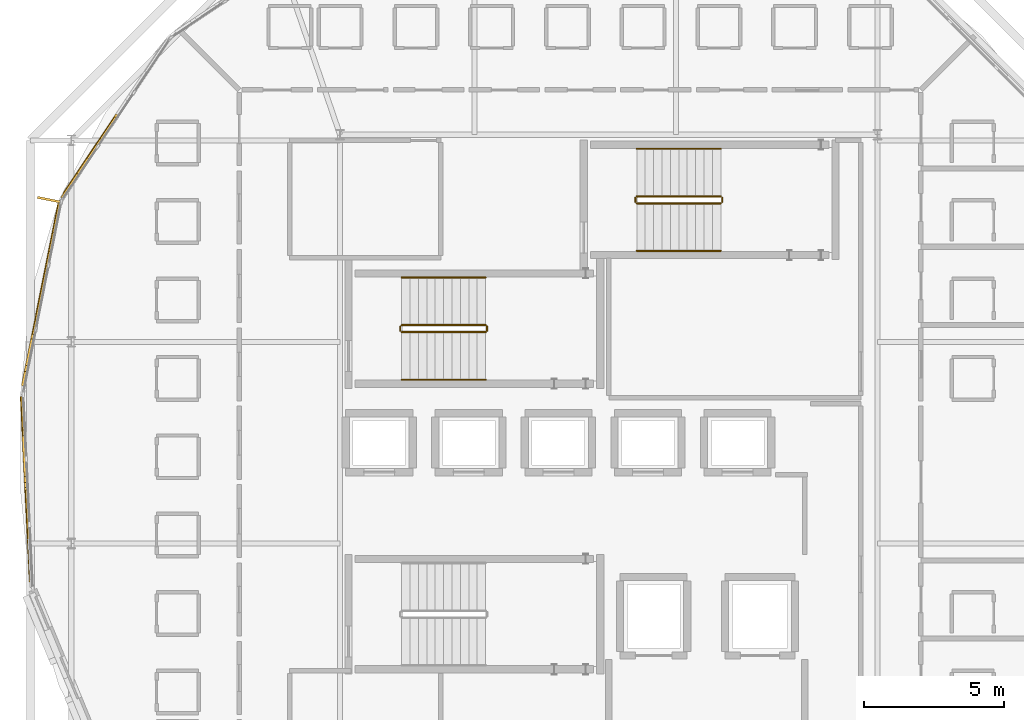
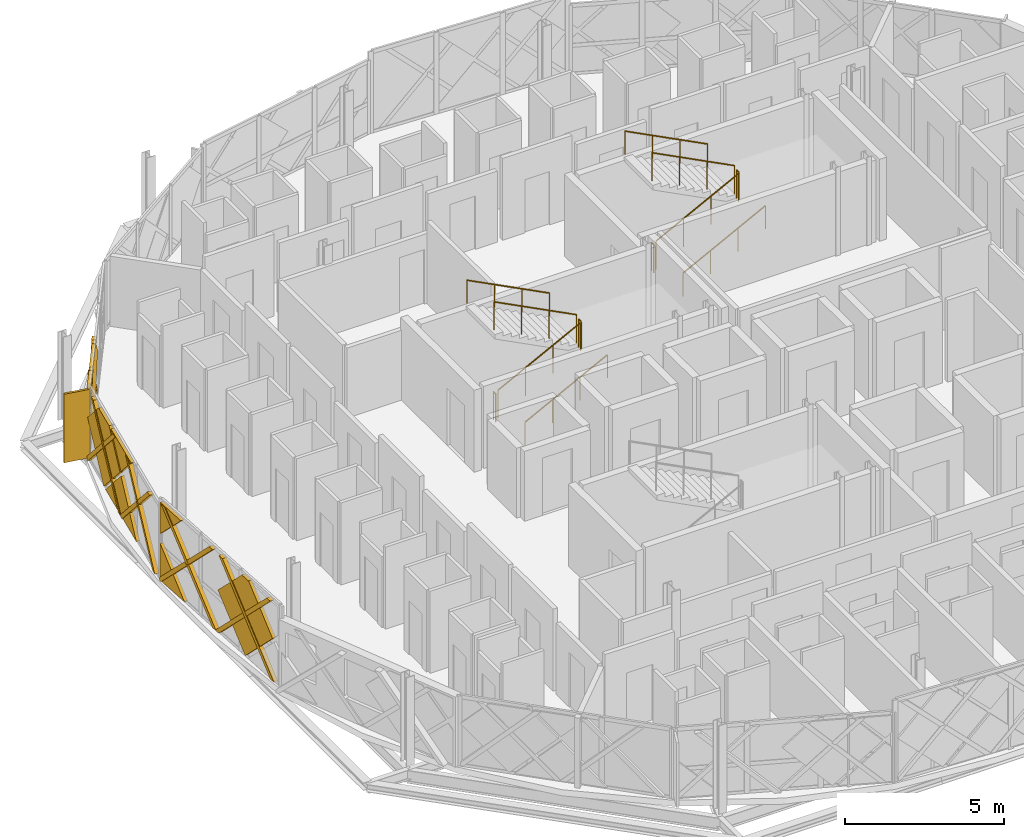
# One storey, part 22 of 24: 19 coverings, 12 railings, 1 shading device.
"""IFC4 building model written with IfcOpenShell, lengths in metres."""

import ifcopenshell
import ifcopenshell.guid

model = None  # the IFC model being written
_history = None  # IfcOwnerHistory: only IFC2X3 demands one
_inside = {}  # id of a spatial element -> (the spatial element, [elements in it])
_under = {}  # id of a project, library or spatial element -> (it, [spatial elements below it])
_declared = {}  # id of a project -> (the project, [libraries it declares])
_typed = {}  # id of a type object -> (the type object, [elements of that type])
_made_of = {}  # id of a material, layer set ... -> (it, [elements and type objects made of it])


def new_model(schema):
    """Start an empty IFC model of exactly this schema.

    Asked for "IFC4X3", IfcOpenShell would pick the latest addendum, in which some entities
    have other attributes; the version numbers below select the first issue.
    IFC2X3 requires an IfcOwnerHistory on every rooted entity: one is made here for all.
    """
    global model, _history
    if schema == "IFC4X3":
        model = ifcopenshell.file(schema_version=(4, 3, 0, 0))
    else:
        model = ifcopenshell.file(schema=schema)
    _inside.clear()
    _under.clear()
    _declared.clear()
    _typed.clear()
    _made_of.clear()
    _history = None
    if model.schema == "IFC2X3":
        org = make("IfcOrganization", Name="unknown")
        user = make(
            "IfcPersonAndOrganization",
            ThePerson=make("IfcPerson", FamilyName="unknown"),
            TheOrganization=org,
        )
        app = make(
            "IfcApplication",
            ApplicationDeveloper=org,
            Version="unknown",
            ApplicationFullName="unknown",
            ApplicationIdentifier="unknown",
        )
        _history = make(
            "IfcOwnerHistory",
            OwningUser=user,
            OwningApplication=app,
            ChangeAction="ADDED",
            CreationDate=0,
        )
    return model


def make(cls, **values):
    """One entity of the class cls with the attributes given. An attribute that is None is left unset."""
    return model.create_entity(
        cls, **{name: value for name, value in values.items() if value is not None}
    )


def rooted(cls, **values):
    """An entity with a GlobalId (a new one), such as an element, a storey or a relation."""
    return make(cls, GlobalId=ifcopenshell.guid.new(), OwnerHistory=_history, **values)


def si_unit(unit_type, name, prefix=None):
    """IfcSIUnit, for example si_unit("LENGTHUNIT", "METRE", prefix="MILLI")."""
    return make("IfcSIUnit", UnitType=unit_type, Prefix=prefix, Name=name)


def assignment(units):
    """IfcUnitAssignment: the units of a project."""
    return None if units is None else make("IfcUnitAssignment", Units=units)


def point(xyz):
    """IfcCartesianPoint."""
    return None if xyz is None else make("IfcCartesianPoint", Coordinates=xyz)


def direction(xyz):
    """IfcDirection."""
    return None if xyz is None else make("IfcDirection", DirectionRatios=xyz)


def frame(location, z_axis=None, x_axis=None):
    """IfcAxis2Placement3D, a coordinate frame: its origin and axes. An axis left out is left unset."""
    return make(
        "IfcAxis2Placement3D",
        Location=point(location),
        Axis=direction(z_axis),
        RefDirection=direction(x_axis),
    )


def frame_2d(location, x_axis=None):
    """IfcAxis2Placement2D, a coordinate frame in the plane: its origin and x axis."""
    return make(
        "IfcAxis2Placement2D", Location=point(location), RefDirection=direction(x_axis)
    )


def origin():
    """The frame at (0, 0, 0) with its axes left unset."""
    return frame((0.0, 0.0, 0.0))


def origin_2d():
    """The frame at (0, 0) in the plane with its x axis left unset."""
    return frame_2d((0.0, 0.0))


def place(relative_to, where):
    """IfcLocalPlacement: puts the frame where relative to a parent placement (None: the world)."""
    return make(
        "IfcLocalPlacement", PlacementRelTo=relative_to, RelativePlacement=where
    )


def context(
    kind, dimensions, precision=None, world=None, true_north=None, identifier=None
):
    """IfcGeometricRepresentationContext, for example the 3D "Model" context."""
    return make(
        "IfcGeometricRepresentationContext",
        ContextIdentifier=identifier,
        ContextType=kind,
        CoordinateSpaceDimension=dimensions,
        Precision=precision,
        WorldCoordinateSystem=world,
        TrueNorth=true_north,
    )


def subcontext(parent, identifier, kind, view, scale=None):
    """IfcGeometricRepresentationSubContext, for example "Body" below "Model"."""
    return make(
        "IfcGeometricRepresentationSubContext",
        ContextIdentifier=identifier,
        ContextType=kind,
        ParentContext=parent,
        TargetScale=scale,
        TargetView=view,
    )


def project(units=None, contexts=None):
    """IfcProject with its units and contexts."""
    return rooted(
        "IfcProject",
        Name="project",
        RepresentationContexts=contexts,
        UnitsInContext=assignment(units),
    )


def spatial(cls, under=None, at=None, **own):
    """A site, building, storey or space (cls), placed at a placement, below another one or the project."""
    s = rooted(cls, ObjectPlacement=at, **own)
    if under is not None:
        _under.setdefault(under.id(), (under, []))[1].append(s)
    return s


def polyline(points):
    """IfcPolyline through the points."""
    return make("IfcPolyline", Points=[point(p) for p in points])


def profile(cls, at=None, kind="AREA", **sizes):
    """A parametric profile (cls). Its sizes go by their IFC names, for example OverallWidth=200.0."""
    return make(cls, ProfileType=kind, Position=at, **sizes)


def rectangle(**sizes):
    """IfcRectangleProfileDef."""
    return profile("IfcRectangleProfileDef", **sizes)


def circle(**sizes):
    """IfcCircleProfileDef."""
    return profile("IfcCircleProfileDef", **sizes)


def outline(outer, holes=None, kind="AREA"):
    """IfcArbitraryClosedProfileDef: a profile drawn as a closed curve; with holes, ...WithVoids."""
    if holes is None:
        return make("IfcArbitraryClosedProfileDef", ProfileType=kind, OuterCurve=outer)
    return make(
        "IfcArbitraryProfileDefWithVoids",
        ProfileType=kind,
        OuterCurve=outer,
        InnerCurves=holes,
    )


def extrude(swept, where, along, depth):
    """IfcExtrudedAreaSolid: the profile swept, set in the frame where, extruded along a direction by depth."""
    return make(
        "IfcExtrudedAreaSolid",
        SweptArea=swept,
        Position=where,
        ExtrudedDirection=direction(along),
        Depth=depth,
    )


def shape(context_of_items, identifier, shape_type, items):
    """IfcShapeRepresentation: the items that make up one representation, for example the "Body"."""
    return make(
        "IfcShapeRepresentation",
        ContextOfItems=context_of_items,
        RepresentationIdentifier=identifier,
        RepresentationType=shape_type,
        Items=items,
    )


def material(Name=None, Category=None):
    """IfcMaterial."""
    return make("IfcMaterial", Name=Name, Category=Category)


def layer(
    of_material, thickness, ventilated=None, Name=None, Category=None, Priority=None
):
    """IfcMaterialLayer: one layer of a wall or slab, of a material (None: an air gap)."""
    return make(
        "IfcMaterialLayer",
        Material=of_material,
        LayerThickness=thickness,
        IsVentilated=ventilated,
        Name=Name,
        Category=Category,
        Priority=Priority,
    )


def layer_set(layers, Name=None):
    """IfcMaterialLayerSet."""
    return make("IfcMaterialLayerSet", MaterialLayers=layers, LayerSetName=Name)


def made_of(thing, what):
    """Note that an element or type object is made of a material, layer set ...; save() writes the relation."""
    if what is not None:
        _made_of.setdefault(what.id(), (what, []))[1].append(thing)
    return thing


def type_object(cls, material=None, **own):
    """A type object (cls), such as IfcWallType, which elements share."""
    return made_of(rooted(cls, **own), material)


def element(
    cls,
    number,
    at=None,
    inside=None,
    cuts=None,
    type_object=None,
    material=None,
    context=None,
    identifier="Body",
    shape_type=None,
    held_by="IfcProductDefinitionShape",
    body=None,
    shapes=None,
    **own,
):
    """One element of the class cls, such as IfcWall. Its Tag is "e" and its number.

    at: its placement. inside: the storey or other place that contains it. cuts: it is an
    opening in that element (IfcRelVoidsElement). A single representation is given by context,
    identifier, shape_type and body (its items); several are given by shapes. held_by: the class
    of the entity that holds the representations. save() writes the other relations.
    """
    e = rooted(cls, Tag="e%d" % number, ObjectPlacement=at, **own)
    if body is not None:
        shapes = [shape(context, identifier, shape_type, body)]
    if shapes is not None:
        e.Representation = make(held_by, Representations=shapes)
    if inside is not None:
        _inside.setdefault(inside.id(), (inside, []))[1].append(e)
    if cuts is not None:
        rooted(
            "IfcRelVoidsElement", RelatingBuildingElement=cuts, RelatedOpeningElement=e
        )
    if type_object is not None:
        _typed.setdefault(type_object.id(), (type_object, []))[1].append(e)
    return made_of(e, material)


def aggregate(whole, parts):
    """IfcRelAggregates: a whole, such as a stair, and the parts it consists of."""
    return rooted("IfcRelAggregates", RelatingObject=whole, RelatedObjects=parts)


def save(model, path):
    """Write the relations noted so far, then the file.

    IfcRelAggregates (storeys below a building ...), IfcRelContainedInSpatialStructure (elements
    in a storey), IfcRelDefinesByType, IfcRelAssociatesMaterial and IfcRelDeclares: one each for
    every whole, place, type object, material and project.
    """
    for whole, parts in _under.values():
        aggregate(whole, parts)
    for where, things in _inside.values():
        rooted(
            "IfcRelContainedInSpatialStructure",
            RelatedElements=things,
            RelatingStructure=where,
        )
    for kind, things in _typed.values():
        rooted("IfcRelDefinesByType", RelatedObjects=things, RelatingType=kind)
    for what, things in _made_of.values():
        rooted("IfcRelAssociatesMaterial", RelatedObjects=things, RelatingMaterial=what)
    for by, libraries in _declared.values():
        rooted("IfcRelDeclares", RelatingContext=by, RelatedDefinitions=libraries)
    model.write(path)


model = new_model("IFC4")

# Units and contexts
model_context = context("Model", 3, precision=1e-05, world=origin(), true_north=direction((0.0, 1.0)))
body_context = subcontext(model_context, "Body", "Model", "MODEL_VIEW")
ifc_project = project(units=[si_unit("LENGTHUNIT", "METRE"), si_unit("AREAUNIT", "SQUARE_METRE"), si_unit("VOLUMEUNIT", "CUBIC_METRE"), si_unit("PLANEANGLEUNIT", "RADIAN"), si_unit("MASSUNIT", "GRAM", prefix="KILO")], contexts=[model_context])

# Site, building, storey
site_placement = place(None, origin())
site = spatial("IfcSite", under=ifc_project, at=site_placement, CompositionType="ELEMENT")
building_placement = place(site_placement, origin())
building = spatial("IfcBuilding", under=site, at=building_placement, Name="Zevrakil Square Congress Hotel", CompositionType="ELEMENT")
storey_placement = place(building_placement, frame((0.0, 0.0, 38.5)))
storey = spatial("IfcBuildingStorey", under=building, at=storey_placement, Name="L11", CompositionType="ELEMENT", Elevation=38.5)

# Coverings
ifc_material_1 = material(Name="Architectural White Fibre-C GRC", Category="concrete")
ifc_layer_1 = layer(ifc_material_1, 0.06494140625)
ifc_layer_set_1 = layer_set([ifc_layer_1], Name="Architectural White Fibre-C GRC")
covering_type_1 = type_object("IfcCoveringType", Name="COV-DIA-WHITE", PredefinedType="CLADDING", material=ifc_layer_set_1)
covering_1_placement = place(storey_placement, frame((126.93115234375, 36.52197265625, 1.590087890625), z_axis=(-0.83149600157, 0.555530546087, 0.000460149731), x_axis=(-0.392959632916, -0.587580436143, -0.707341471964)))
element("IfcCovering", 1, at=covering_1_placement, inside=storey, type_object=covering_type_1, Name="L11 45-degree white GRC diamond facade cassette 3310", PredefinedType="CLADDING", context=body_context, shape_type="SweptSolid", body=[
    extrude(outline(polyline([(0.0, 0.0), (0.26266104016860925, 2.7755575615628914e-17), (1.1993843025622417, -0.9360048723062939), (0.0008210011669953499, -2.1353644814832715), (0.0, 0.0)])), origin(), (0.0, 0.0, -1.0), 0.1201171875),
])
covering_2_placement = place(storey_placement, frame((126.981201171875, 36.5966796875, 1.679931640625), z_axis=(-0.831447330474, 0.555603293129, 0.000563304732), x_axis=(0.392570287536, 0.588189104027, -0.707051728835)))
element("IfcCovering", 2, at=covering_2_placement, inside=storey, type_object=covering_type_1, Name="L11 45-degree white GRC diamond facade cassette 3311", PredefinedType="CLADDING", context=body_context, shape_type="SweptSolid", body=[
    extrude(outline(polyline([(0.0, 0.0), (2.2485535630894837, 0.0), (2.2488083905047693, -2.2484589793996497), (0.9264004222021347, -2.2485265735203535), (9.09446122751012e-05, -1.3223610226990683), (0.0, 0.0)])), origin(), (0.0, 0.0, -1.0), 0.1201171875),
])
covering_3_placement = place(storey_placement, frame((126.931396484375, 36.521728515625, 1.77001953125), z_axis=(-0.83138944201, 0.55568997102, 0.000501819292), x_axis=(0.393230346621, 0.58768870872, 0.707101036726)))
element("IfcCovering", 3, at=covering_3_placement, inside=storey, type_object=covering_type_1, Name="L11 45-degree white GRC diamond facade cassette 3312", PredefinedType="CLADDING", context=body_context, shape_type="SweptSolid", body=[
    extrude(outline(polyline([(0.0, 0.0), (1.1949785864247604, -1.1102230246251565e-16), (0.46624017567455495, -0.7287269036350713), (8.500693778701329e-05, -0.2626609505266857), (0.0, 0.0)])), origin(), (0.0, 0.0, -1.0), 0.1201171875),
])
covering_4_placement = place(storey_placement, frame((126.10302734375, 32.955078125, 1.590087890625), z_axis=(-0.98079136516, 0.195058894266, 0.00057078403), x_axis=(-0.138328919404, -0.693473739757, -0.707077988855)))
element("IfcCovering", 4, at=covering_4_placement, inside=storey, type_object=covering_type_1, Name="L11 45-degree white GRC diamond facade cassette 3317", PredefinedType="CLADDING", context=body_context, shape_type="SweptSolid", body=[
    extrude(outline(polyline([(0.0, 0.0), (2.135563246805707, 0.0), (-0.00010681349564167775, -2.13549684401508), (0.0, 0.0)])), origin(), (0.0, 0.0, -1.0), 0.1201171875),
])
covering_5_placement = place(storey_placement, frame((126.12060546875, 33.043212890625, 1.679931640625), z_axis=(-0.980782230316, 0.195104613084, 0.000637691512), x_axis=(0.137520112286, 0.693618607617, -0.707093661324)))
element("IfcCovering", 5, at=covering_5_placement, inside=storey, type_object=covering_type_1, Name="L11 45-degree white GRC diamond facade cassette 3318", PredefinedType="CLADDING", context=body_context, shape_type="SweptSolid", body=[
    extrude(outline(polyline([(0.0, 0.0), (2.2484204224004087, 0.0), (2.24867242493475, -2.2344341389798794), (2.2345167412851947, -2.2485903421751363), (0.7284245469721825, -2.2485807533123086), (2.846034099301953e-05, -1.520211218581958), (0.0, 0.0)])), origin(), (0.0, 0.0, -1.0), 0.1201171875),
])
covering_6_placement = place(storey_placement, frame((126.10302734375, 32.955078125, 1.77001953125), z_axis=(-0.980789547701, 0.19506731717, 0.000777748131), x_axis=(0.138474666652, 0.693425039588, 0.707097221865)))
element("IfcCovering", 6, at=covering_6_placement, inside=storey, type_object=covering_type_1, Name="L11 45-degree white GRC diamond facade cassette 3319", PredefinedType="CLADDING", context=body_context, shape_type="SweptSolid", body=[
    extrude(outline(polyline([(0.0, 0.0), (1.3928258389319303, 0.0), (-0.00017340145040323218, -1.3929624200173594), (0.0, 0.0)])), origin(), (0.0, 0.0, -1.0), 0.1201171875),
])
covering_7_placement = place(storey_placement, frame((125.463134765625, 27.84814453125, 0.080078125), z_axis=(-0.998798717207, -0.048996366263, 0.000691808635), x_axis=(-0.048996377988, 0.998798956219, 0.0)))
element("IfcCovering", 7, at=covering_7_placement, inside=storey, type_object=covering_type_1, Name="L11 45-degree white GRC diamond facade cassette 3324", PredefinedType="CLADDING", context=body_context, shape_type="SweptSolid", body=[
    extrude(outline(polyline([(0.0, 0.0), (1.4101409065912371, 6.776263578034403e-21), (1.4100930585658586, -1.4099124467665163), (0.0, 0.0)])), origin(), (0.0, 0.0, -1.0), 0.1201171875),
])
covering_8_placement = place(storey_placement, frame((125.71533203125, 22.734375, 1.679931640625), z_axis=(-0.998796230832, -0.049048529929, 0.000575315749), x_axis=(-0.035091537641, 0.706290639048, -0.707051707571)))
element("IfcCovering", 8, at=covering_8_placement, inside=storey, type_object=covering_type_1, Name="L11 45-degree white GRC diamond facade cassette 3326", PredefinedType="CLADDING", context=body_context, shape_type="SweptSolid", body=[
    extrude(outline(polyline([(0.0, 0.0), (2.2485536849043104, -4.440892098500626e-16), (2.2486714882651646, -2.2483219623578363), (0.2828873325793809, -2.24864118794092), (9.95375367605078e-05, -1.9658972770493708), (0.0, 0.0)])), origin(), (0.0, 0.0, -1.0), 0.1201171875),
])
covering_9_placement = place(storey_placement, frame((125.39501953125, 29.256591796875, 1.8701171875), z_axis=(-0.998806702188, -0.048831454171, 0.000812864051), x_axis=(0.000813834929, 0.0, 0.999999668836)))
element("IfcCovering", 9, at=covering_9_placement, inside=storey, type_object=covering_type_1, Name="L11 45-degree white GRC diamond facade cassette 3327", PredefinedType="CLADDING", context=body_context, shape_type="SweptSolid", body=[
    extrude(outline(polyline([(0.0, 0.0), (1.199951569255402, 6.776263578034403e-21), (1.199999254895765, -1.1999177905038692), (0.0, 0.0)])), origin(), (0.0, 0.0, -1.0), 0.1201171875),
])
ifc_material_2 = material(Name="Anodised Champagne Aluminium", Category="aluminium")
ifc_layer_2 = layer(ifc_material_2, 0.0849609375)
ifc_layer_set_2 = layer_set([ifc_layer_2], Name="Anodised Champagne Aluminium")
covering_type_2 = type_object("IfcCoveringType", Name="COV-DIAGRID-45", PredefinedType="MOLDING", material=ifc_layer_set_2)
covering_10_placement = place(storey_placement, frame((128.673095703125, 39.17529296875, 0.080078125), z_axis=(-0.831519005754, 0.55549609928, 0.00047618803), x_axis=(0.55549616226, 0.83151910003, 0.0)))
element("IfcCovering", 10, at=covering_10_placement, inside=storey, type_object=covering_type_2, Name="L11 45-degree aluminium diagrid rib 3314", PredefinedType="MOLDING", context=body_context, shape_type="SweptSolid", body=[
    extrude(outline(polyline([(0.0, 0.0), (0.21227855363602155, 0.0), (-2.3228069801101316, -2.5349123967770977), (-2.5350855337461535, -2.5349123967770977), (0.0, 0.0)])), origin(), (0.0, 0.0, -1.0), 0.14501953125),
])
covering_11_placement = place(storey_placement, frame((128.422607421875, 38.7978515625, 2.614990234375), z_axis=(-0.831429598001, 0.555629890631, 0.000498201668), x_axis=(-0.555629959487, -0.83142970125, 2.38577e-07)))
element("IfcCovering", 11, at=covering_11_placement, inside=storey, type_object=covering_type_2, Name="L11 45-degree aluminium diagrid rib 3316", PredefinedType="MOLDING", context=body_context, shape_type="SweptSolid", body=[
    extrude(outline(polyline([(0.0, 0.0), (0.21193991327517747, -1.3552527156068805e-20), (2.7469602332758263, -2.534913079324627), (2.534884668155071, -2.534912978164416), (0.0, 0.0)])), origin(), (0.0, 0.0, -1.0), 0.14501953125),
])
covering_12_placement = place(storey_placement, frame((126.69677734375, 36.072998046875, 0.080078125), z_axis=(-0.980727471881, 0.195378319103, 0.000968670185), x_axis=(0.195378408388, 0.980727932471, -2.503776e-06)))
element("IfcCovering", 12, at=covering_12_placement, inside=storey, type_object=covering_type_2, Name="L11 45-degree aluminium diagrid rib 3320", PredefinedType="MOLDING", context=body_context, shape_type="SweptSolid", body=[
    extrude(outline(polyline([(0.0, 0.0), (0.08608828037242842, 3.3881317890172014e-21), (0.08613566476210444, -0.1259767354497949), (-2.4630000268437686, -2.6747996915532077), (-2.6748686303494007, -2.674799053070775), (0.0, 0.0)])), origin(), (0.0, 0.0, -1.0), 0.14501953125),
])
covering_13_placement = place(storey_placement, frame((126.041259765625, 32.777587890625, 0.080078125), z_axis=(-0.980690547874, 0.195562924503, 0.001091728147), x_axis=(0.195563041177, 0.980691132276, 1.22872e-07)))
element("IfcCovering", 13, at=covering_13_placement, inside=storey, type_object=covering_type_2, Name="L11 45-degree aluminium diagrid rib 3321", PredefinedType="MOLDING", context=body_context, shape_type="SweptSolid", body=[
    extrude(outline(polyline([(0.0, 0.0), (0.21210804728993937, 6.776263578034403e-21), (-2.462753059432227, -2.67480658411592), (-2.6751005332681324, -2.6748066362697713), (0.0, 0.0)])), origin(), (0.0, 0.0, -1.0), 0.14501953125),
])
covering_14_placement = place(storey_placement, frame((126.63720703125, 35.765869140625, 2.7548828125), z_axis=(-0.980779272583, 0.195119820074, 0.000523722535), x_axis=(-0.195119846681, -0.98077940712, 2.95681e-07)))
element("IfcCovering", 14, at=covering_14_placement, inside=storey, type_object=covering_type_2, Name="L11 45-degree aluminium diagrid rib 3322", PredefinedType="MOLDING", context=body_context, shape_type="SweptSolid", body=[
    extrude(outline(polyline([(0.0, 0.0), (0.21206037816296844, 3.3881317890172014e-21), (2.8870624390302684, -2.674805907978918), (2.674954424185981, -2.674805782560468), (0.0, 0.0)])), origin(), (0.0, 0.0, -1.0), 0.14501953125),
])
covering_15_placement = place(storey_placement, frame((125.981689453125, 32.470458984375, 2.7548828125), z_axis=(-0.980822884804, 0.194899740884, 0.000748095817), x_axis=(-0.194899795112, -0.980823159323, 4.21899e-07)))
element("IfcCovering", 15, at=covering_15_placement, inside=storey, type_object=covering_type_2, Name="L11 45-degree aluminium diagrid rib 3323", PredefinedType="MOLDING", context=body_context, shape_type="SweptSolid", body=[
    extrude(outline(polyline([(0.0, 0.0), (0.21229985846601132, 0.0), (2.887301173243362, -2.6748066541231332), (2.67495373181956, -2.6748064749649467), (0.0, 0.0)])), origin(), (0.0, 0.0, -1.0), 0.14501953125),
])
covering_16_placement = place(storey_placement, frame((125.373291015625, 29.169189453125, 0.080078125), z_axis=(-0.998811336782, -0.048734517289, 0.000927545437), x_axis=(-0.048734537827, 0.998811766462, 4.59962e-07)))
element("IfcCovering", 16, at=covering_16_placement, inside=storey, type_object=covering_type_2, Name="L11 45-degree aluminium diagrid rib 3329", PredefinedType="MOLDING", context=body_context, shape_type="SweptSolid", body=[
    extrude(outline(polyline([(0.0, 0.0), (0.08603765354922335, 0.0), (0.0860377114936831, -0.12597650830860327), (-2.7778503489562594, -2.98999283191887), (-2.9897684769130786, -2.9899928608349393), (0.0, 0.0)])), origin(), (0.0, 0.0, -1.0), 0.14501953125),
])
covering_17_placement = place(storey_placement, frame((125.5380859375, 25.813232421875, 0.080078125), z_axis=(-0.998803151742, -0.048904532199, 0.000781536701), x_axis=(-0.048904547485, 0.99880345676, -4.49104e-07)))
element("IfcCovering", 17, at=covering_17_placement, inside=storey, type_object=covering_type_2, Name="L11 45-degree aluminium diagrid rib 3330", PredefinedType="MOLDING", context=body_context, shape_type="SweptSolid", body=[
    extrude(outline(polyline([(0.0, 0.0), (0.21217390039288506, 1.6940658945086007e-21), (-2.777853505047841, -2.9899898999713543), (-2.9900154658539373, -2.989989709400164), (0.0, 0.0)])), origin(), (0.0, 0.0, -1.0), 0.14501953125),
])
for number, where, z_axis, x_axis, name in (
    (18, (125.375, 29.17138671875, 3.070068359375), (-0.998801968328, -0.048932661273, 0.000471936867), (0.048932666856, -0.99880207955, 2.84808e-07), "L11 45-degree aluminium diagrid rib 3331"),
    (19, (125.539794921875, 25.8154296875, 3.070068359375), (-0.998801968328, -0.048932661273, 0.000471936867), (0.048932666856, -0.99880207955, 2.84808e-07), "L11 45-degree aluminium diagrid rib 3332"),
):
    element("IfcCovering", number, at=place(storey_placement, frame(where, z_axis=z_axis, x_axis=x_axis)), inside=storey, type_object=covering_type_2, Name=name, PredefinedType="MOLDING", context=body_context, shape_type="SweptSolid", body=[
        extrude(outline(polyline([(0.0, 0.0), (0.21193005557740172, 0.0), (3.2020080395955475, -2.9899914793057856), (2.989846082306062, -2.9899913585208284), (0.0, 0.0)])), origin(), (0.0, 0.0, -1.0), 0.14501953125),
    ])

# Railings
ifc_material_3 = material(Name="Steel S355", Category="steel")
railing_type_1 = type_object("IfcRailingType", Name="RLG-STAIR-GUARD-1100", PredefinedType="BALUSTRADE", material=ifc_material_3)
railing_1_placement = place(storey_placement, frame((139.0, 31.550048828125, 0.154541015625)))
element("IfcRailing", 20, at=railing_1_placement, inside=storey, type_object=railing_type_1, Name="L11 ST02 stair guard 1", PredefinedType="BALUSTRADE", context=body_context, shape_type="SweptSolid", body=[
    extrude(circle(Radius=0.02392578125, at=origin_2d()), frame((0.0, 0.0, 1.076171875), z_axis=(0.888979911393, 0.0, 0.45794619459), x_axis=(0.0, 1.0, 0.0)), (0.0, 0.0, 1.0), 3.374755859375),
    extrude(circle(Radius=0.02099609375, at=origin_2d()), origin(), (0.0, 0.0, 1.0), 1.052001953125),
    extrude(circle(Radius=0.02099609375, at=origin_2d()), frame((1.0, 0.0, 0.51513671875)), (0.0, 0.0, 1.0), 1.052001953125),
    extrude(circle(Radius=0.02099609375, at=origin_2d()), frame((2.0, 0.0, 1.0302734375)), (0.0, 0.0, 1.0), 1.052001953125),
    extrude(circle(Radius=0.02099609375, at=origin_2d()), frame((3.0, 0.0, 1.54541015625)), (0.0, 0.0, 1.0), 1.052001953125),
])
railing_2_placement = place(storey_placement, frame((142.050048828125, 31.60009765625, 1.699951171875)))
element("IfcRailing", 21, at=railing_2_placement, inside=storey, type_object=railing_type_1, Name="L11 ST02 stair guard 2", PredefinedType="BALUSTRADE", context=body_context, shape_type="SweptSolid", body=[
    extrude(circle(Radius=0.02392578125, at=origin_2d()), frame((0.0, 0.0, 1.076171875), z_axis=(0.0, 1.0, 0.0), x_axis=(-1.0, 0.0, 0.0)), (0.0, 0.0, 1.0), 0.14990234375),
    extrude(circle(Radius=0.02099609375, at=origin_2d()), origin(), (0.0, 0.0, 1.0), 1.052001953125),
    extrude(circle(Radius=0.02099609375, at=origin_2d()), frame((0.0, 0.14990234375, 0.0)), (0.0, 0.0, 1.0), 1.052001953125),
])
railing_3_placement = place(storey_placement, frame((142.0, 31.800048828125, 1.8544921875)))
element("IfcRailing", 22, at=railing_3_placement, inside=storey, type_object=railing_type_1, Name="L11 ST02 stair guard 3", PredefinedType="BALUSTRADE", context=body_context, shape_type="SweptSolid", body=[
    extrude(circle(Radius=0.02392578125, at=origin_2d()), frame((0.0, 0.0, 1.076171875), z_axis=(-0.888979911393, 0.0, 0.45794619459), x_axis=(0.0, -1.0, 0.0)), (0.0, 0.0, 1.0), 3.374755859375),
    extrude(circle(Radius=0.02099609375, at=origin_2d()), origin(), (0.0, 0.0, 1.0), 1.052001953125),
    extrude(circle(Radius=0.02099609375, at=origin_2d()), frame((-1.0, 0.0, 0.51513671875)), (0.0, 0.0, 1.0), 1.052001953125),
    extrude(circle(Radius=0.02099609375, at=origin_2d()), frame((-2.0, 0.0, 1.0302734375)), (0.0, 0.0, 1.0), 1.052001953125),
    extrude(circle(Radius=0.02099609375, at=origin_2d()), frame((-3.0, 0.0, 1.54541015625)), (0.0, 0.0, 1.0), 1.052001953125),
])
railing_4_placement = place(storey_placement, frame((138.949951171875, 31.60009765625, 0.0)))
element("IfcRailing", 23, at=railing_4_placement, inside=storey, type_object=railing_type_1, Name="L11 ST02 stair guard 4", PredefinedType="BALUSTRADE", context=body_context, shape_type="SweptSolid", body=[
    extrude(circle(Radius=0.02392578125, at=origin_2d()), frame((0.0, 0.0, 1.076171875), z_axis=(0.0, 1.0, 0.0), x_axis=(-1.0, 0.0, 0.0)), (0.0, 0.0, 1.0), 0.14990234375),
    extrude(circle(Radius=0.02099609375, at=origin_2d()), origin(), (0.0, 0.0, 1.0), 1.052001953125),
    extrude(circle(Radius=0.02099609375, at=origin_2d()), frame((0.0, 0.14990234375, 0.0)), (0.0, 0.0, 1.0), 1.052001953125),
])
railing_5_placement = place(storey_placement, frame((147.39990234375, 36.14990234375, 0.154541015625)))
element("IfcRailing", 24, at=railing_5_placement, inside=storey, type_object=railing_type_1, Name="L11 ST03 stair guard 1", PredefinedType="BALUSTRADE", context=body_context, shape_type="SweptSolid", body=[
    extrude(circle(Radius=0.02392578125, at=origin_2d()), frame((0.0, 0.0, 1.076171875), z_axis=(0.888979911393, 0.0, 0.45794619459), x_axis=(0.0, 1.0, 0.0)), (0.0, 0.0, 1.0), 3.374755859375),
    extrude(circle(Radius=0.02099609375, at=origin_2d()), origin(), (0.0, 0.0, 1.0), 1.052001953125),
    extrude(circle(Radius=0.02099609375, at=origin_2d()), frame((1.0, 0.0, 0.51513671875)), (0.0, 0.0, 1.0), 1.052001953125),
    extrude(circle(Radius=0.02099609375, at=origin_2d()), frame((2.0, 0.0, 1.0302734375)), (0.0, 0.0, 1.0), 1.052001953125),
    extrude(circle(Radius=0.02099609375, at=origin_2d()), frame((3.0, 0.0, 1.54541015625)), (0.0, 0.0, 1.0), 1.052001953125),
])
railing_6_placement = place(storey_placement, frame((150.449951171875, 36.199951171875, 1.699951171875)))
element("IfcRailing", 25, at=railing_6_placement, inside=storey, type_object=railing_type_1, Name="L11 ST03 stair guard 2", PredefinedType="BALUSTRADE", context=body_context, shape_type="SweptSolid", body=[
    extrude(circle(Radius=0.02392578125, at=origin_2d()), frame((0.0, 0.0, 1.076171875), z_axis=(0.0, 1.0, 0.0), x_axis=(-1.0, 0.0, 0.0)), (0.0, 0.0, 1.0), 0.150146484375),
    extrude(circle(Radius=0.02099609375, at=origin_2d()), origin(), (0.0, 0.0, 1.0), 1.052001953125),
    extrude(circle(Radius=0.02099609375, at=origin_2d()), frame((0.0, 0.150146484375, 0.0)), (0.0, 0.0, 1.0), 1.052001953125),
])
railing_7_placement = place(storey_placement, frame((150.39990234375, 36.39990234375, 1.8544921875)))
element("IfcRailing", 26, at=railing_7_placement, inside=storey, type_object=railing_type_1, Name="L11 ST03 stair guard 3", PredefinedType="BALUSTRADE", context=body_context, shape_type="SweptSolid", body=[
    extrude(circle(Radius=0.02392578125, at=origin_2d()), frame((0.0, 0.0, 1.076171875), z_axis=(-0.888979911393, 0.0, 0.45794619459), x_axis=(0.0, -1.0, 0.0)), (0.0, 0.0, 1.0), 3.374755859375),
    extrude(circle(Radius=0.02099609375, at=origin_2d()), origin(), (0.0, 0.0, 1.0), 1.052001953125),
    extrude(circle(Radius=0.02099609375, at=origin_2d()), frame((-1.0, 0.0, 0.51513671875)), (0.0, 0.0, 1.0), 1.052001953125),
    extrude(circle(Radius=0.02099609375, at=origin_2d()), frame((-2.0, 0.0, 1.0302734375)), (0.0, 0.0, 1.0), 1.052001953125),
    extrude(circle(Radius=0.02099609375, at=origin_2d()), frame((-3.0, 0.0, 1.54541015625)), (0.0, 0.0, 1.0), 1.052001953125),
])
railing_8_placement = place(storey_placement, frame((147.35009765625, 36.199951171875, 0.0)))
element("IfcRailing", 27, at=railing_8_placement, inside=storey, type_object=railing_type_1, Name="L11 ST03 stair guard 4", PredefinedType="BALUSTRADE", context=body_context, shape_type="SweptSolid", body=[
    extrude(circle(Radius=0.02392578125, at=origin_2d()), frame((0.0, 0.0, 1.076171875), z_axis=(0.0, 1.0, 0.0), x_axis=(-1.0, 0.0, 0.0)), (0.0, 0.0, 1.0), 0.150146484375),
    extrude(circle(Radius=0.02099609375, at=origin_2d()), origin(), (0.0, 0.0, 1.0), 1.052001953125),
    extrude(circle(Radius=0.02099609375, at=origin_2d()), frame((0.0, 0.150146484375, 0.0)), (0.0, 0.0, 1.0), 1.052001953125),
])
ifc_material_4 = material(Name="Steel S355", Category="steel")
railing_type_2 = type_object("IfcRailingType", Name="RLG-STAIR-HAND-900", PredefinedType="HANDRAIL", material=ifc_material_4)
railing_9_placement = place(storey_placement, frame((139.0, 29.85009765625, 0.154541015625)))
element("IfcRailing", 28, at=railing_9_placement, inside=storey, type_object=railing_type_2, Name="L11 ST02 stair handrail 1", PredefinedType="HANDRAIL", context=body_context, shape_type="SweptSolid", body=[
    extrude(circle(Radius=0.02392578125, at=origin_2d()), frame((0.0, 0.0, 0.8759765625), z_axis=(0.888979911393, 0.0, 0.45794619459), x_axis=(0.0, 1.0, 0.0)), (0.0, 0.0, 1.0), 3.374755859375),
    extrude(circle(Radius=0.02099609375, at=origin_2d()), origin(), (0.0, 0.0, 1.0), 0.851806640625),
    extrude(circle(Radius=0.02099609375, at=origin_2d()), frame((1.0, 0.0, 0.51513671875)), (0.0, 0.0, 1.0), 0.851806640625),
    extrude(circle(Radius=0.02099609375, at=origin_2d()), frame((2.0, 0.0, 1.0302734375)), (0.0, 0.0, 1.0), 0.851806640625),
    extrude(circle(Radius=0.02099609375, at=origin_2d()), frame((3.0, 0.0, 1.54541015625)), (0.0, 0.0, 1.0), 0.851806640625),
])
railing_10_placement = place(storey_placement, frame((142.0, 33.5, 1.8544921875)))
element("IfcRailing", 29, at=railing_10_placement, inside=storey, type_object=railing_type_2, Name="L11 ST02 stair handrail 2", PredefinedType="HANDRAIL", context=body_context, shape_type="SweptSolid", body=[
    extrude(circle(Radius=0.02392578125, at=origin_2d()), frame((0.0, 0.0, 0.8759765625), z_axis=(-0.888979911393, 0.0, 0.45794619459), x_axis=(0.0, -1.0, 0.0)), (0.0, 0.0, 1.0), 3.374755859375),
    extrude(circle(Radius=0.02099609375, at=origin_2d()), origin(), (0.0, 0.0, 1.0), 0.851806640625),
    extrude(circle(Radius=0.02099609375, at=origin_2d()), frame((-1.0, 0.0, 0.51513671875)), (0.0, 0.0, 1.0), 0.851806640625),
    extrude(circle(Radius=0.02099609375, at=origin_2d()), frame((-2.0, 0.0, 1.0302734375)), (0.0, 0.0, 1.0), 0.851806640625),
    extrude(circle(Radius=0.02099609375, at=origin_2d()), frame((-3.0, 0.0, 1.54541015625)), (0.0, 0.0, 1.0), 0.851806640625),
])
railing_11_placement = place(storey_placement, frame((147.39990234375, 34.449951171875, 0.154541015625)))
element("IfcRailing", 30, at=railing_11_placement, inside=storey, type_object=railing_type_2, Name="L11 ST03 stair handrail 1", PredefinedType="HANDRAIL", context=body_context, shape_type="SweptSolid", body=[
    extrude(circle(Radius=0.02392578125, at=origin_2d()), frame((0.0, 0.0, 0.8759765625), z_axis=(0.888979911393, 0.0, 0.45794619459), x_axis=(0.0, 1.0, 0.0)), (0.0, 0.0, 1.0), 3.374755859375),
    extrude(circle(Radius=0.02099609375, at=origin_2d()), origin(), (0.0, 0.0, 1.0), 0.851806640625),
    extrude(circle(Radius=0.02099609375, at=origin_2d()), frame((1.0, 0.0, 0.51513671875)), (0.0, 0.0, 1.0), 0.851806640625),
    extrude(circle(Radius=0.02099609375, at=origin_2d()), frame((2.0, 0.0, 1.0302734375)), (0.0, 0.0, 1.0), 0.851806640625),
    extrude(circle(Radius=0.02099609375, at=origin_2d()), frame((3.0, 0.0, 1.54541015625)), (0.0, 0.0, 1.0), 0.851806640625),
])
railing_12_placement = place(storey_placement, frame((150.39990234375, 38.10009765625, 1.8544921875)))
element("IfcRailing", 31, at=railing_12_placement, inside=storey, type_object=railing_type_2, Name="L11 ST03 stair handrail 2", PredefinedType="HANDRAIL", context=body_context, shape_type="SweptSolid", body=[
    extrude(circle(Radius=0.02392578125, at=origin_2d()), frame((0.0, 0.0, 0.8759765625), z_axis=(-0.888979911393, 0.0, 0.45794619459), x_axis=(0.0, -1.0, 0.0)), (0.0, 0.0, 1.0), 3.374755859375),
    extrude(circle(Radius=0.02099609375, at=origin_2d()), origin(), (0.0, 0.0, 1.0), 0.851806640625),
    extrude(circle(Radius=0.02099609375, at=origin_2d()), frame((-1.0, 0.0, 0.51513671875)), (0.0, 0.0, 1.0), 0.851806640625),
    extrude(circle(Radius=0.02099609375, at=origin_2d()), frame((-2.0, 0.0, 1.0302734375)), (0.0, 0.0, 1.0), 0.851806640625),
    extrude(circle(Radius=0.02099609375, at=origin_2d()), frame((-3.0, 0.0, 1.54541015625)), (0.0, 0.0, 1.0), 0.851806640625),
])

# Shading device
ifc_material_5 = material(Name="Aluminium Anodised Bronze", Category="aluminium")
shading_device_type = type_object("IfcShadingDeviceType", Name="SHD-FIN-85", PredefinedType="USERDEFINED", material=ifc_material_5)
shading_device_placement = place(storey_placement, frame((126.406494140625, 36.27978515625, 0.10009765625), z_axis=(0.0, 0.0, 1.0), x_axis=(-0.980785280403, 0.195090322016, 0.0)))
element("IfcShadingDevice", 32, at=shading_device_placement, inside=storey, type_object=shading_device_type, Name="L11 aluminium solar shading fin 185", ObjectType="SOLAR FIN", PredefinedType="USERDEFINED", context=body_context, shape_type="SweptSolid", body=[
    extrude(rectangle(XDim=0.85009765625, YDim=0.080078125, at=origin_2d()), origin(), (0.0, 0.0, 1.0), 2.635009765625),
])

save(model, "model.ifc")
